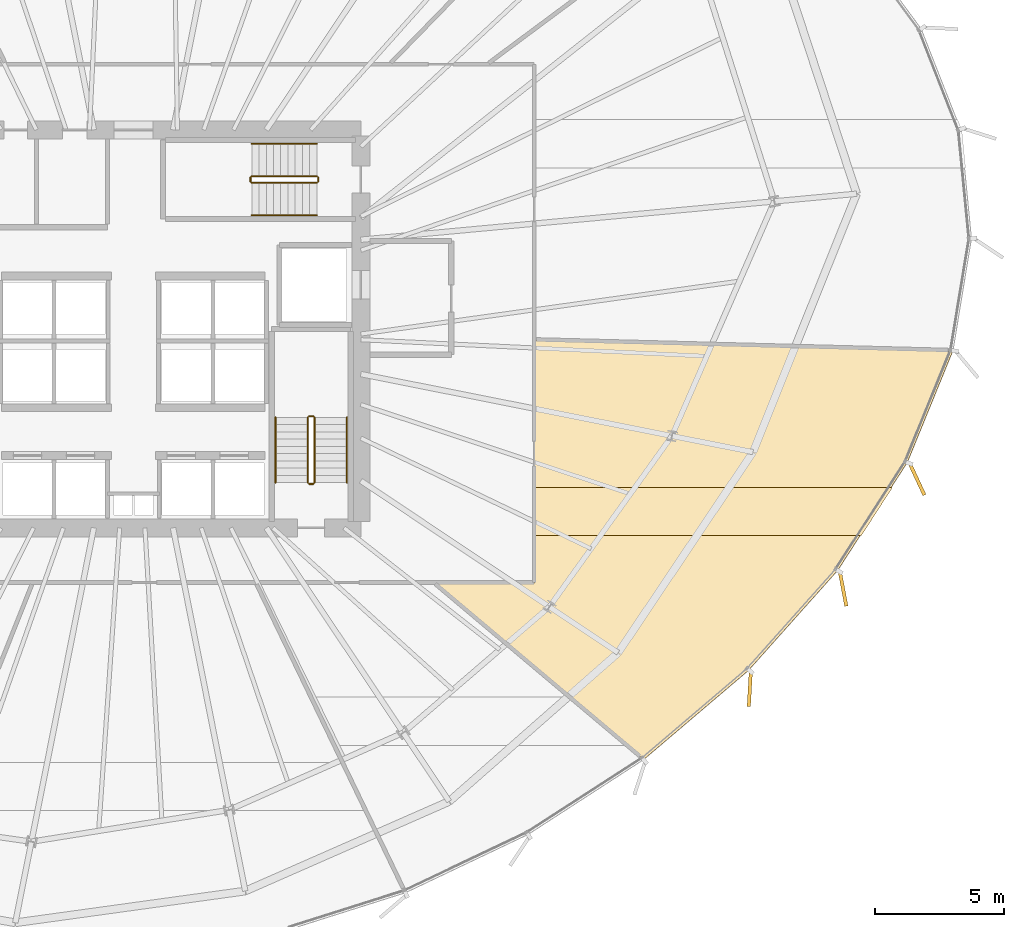
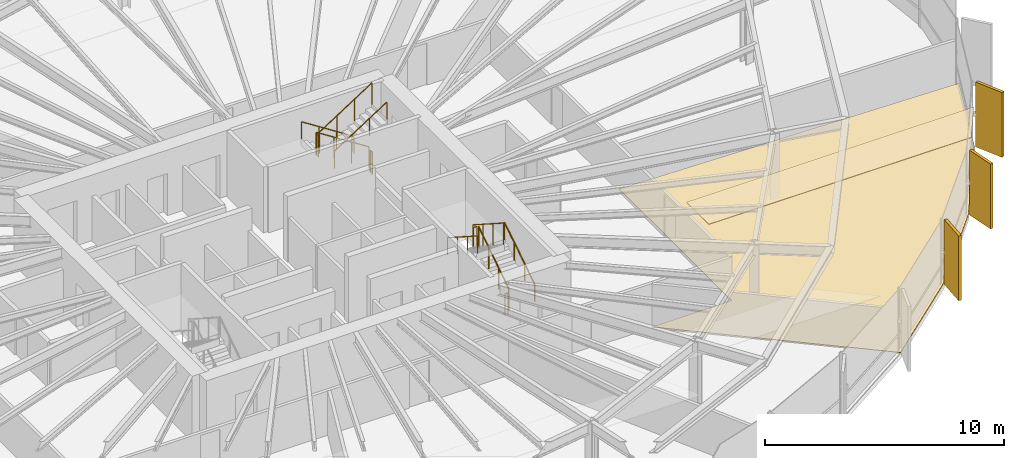
# One storey, part 34 of 35: 12 railings, 5 coverings.
"""IFC4 building model written with IfcOpenShell, lengths in metres."""

from ifc_helpers import new_model, si_unit, direction, frame, origin, origin_2d, place, context, subcontext, project, spatial, polyline, rectangle, circle, outline, extrude, source, transform, mapped, material, layer, layer_set, type_object, element, save


model = new_model("IFC4")

# Units and contexts
model_context = context("Model", 3, precision=1e-05, world=origin(), true_north=direction((0.0, 1.0)))
body_context = subcontext(model_context, "Body", "Model", "MODEL_VIEW")
ifc_project = project(units=[si_unit("LENGTHUNIT", "METRE"), si_unit("AREAUNIT", "SQUARE_METRE"), si_unit("VOLUMEUNIT", "CUBIC_METRE"), si_unit("PLANEANGLEUNIT", "RADIAN"), si_unit("MASSUNIT", "GRAM", prefix="KILO"), si_unit("THERMODYNAMICTEMPERATUREUNIT", "KELVIN")], contexts=[model_context])

# Site, building, storey
site_placement = place(None, origin())
site = spatial("IfcSite", under=ifc_project, at=site_placement, CompositionType="ELEMENT")
building_placement = place(site_placement, origin())
building = spatial("IfcBuilding", under=site, at=building_placement, Name="Kethvar Cultural Tower", CompositionType="ELEMENT")
storey_placement = place(building_placement, frame((0.0, 0.0, 89.199951171875)))
storey = spatial("IfcBuildingStorey", under=building, at=storey_placement, Name="L21", CompositionType="ELEMENT", Elevation=89.199951171875)

# Coverings
ifc_material_1 = material(Name="Acoustic Mineral Fibre Ceiling")
ifc_layer_1 = layer(ifc_material_1, 0.0400390625, Name="Acoustic Mineral Fibre Ceiling")
ifc_layer_set_1 = layer_set([ifc_layer_1], Name="Acoustic Mineral Fibre Ceiling (40 mm)")
covering_type_1 = type_object("IfcCoveringType", Name="CV-ACOUSTIC-CEIL", PredefinedType="CEILING", material=ifc_layer_set_1)
covering_1_placement = place(storey_placement, frame((0.0, 0.0, 2.780029296875)))
element("IfcCovering", 1, at=covering_1_placement, inside=storey, type_object=covering_type_1, Name="L21 Room 04 Acoustic Ceiling Panel", PredefinedType="CEILING", context=body_context, shape_type="SweptSolid", body=[
    extrude(outline(polyline([(74.969970703125, 19.798583984375), (62.2900390625, 19.798583984375), (62.2900390625, 21.668701171875), (76.17626953125, 21.668701171875), (74.969970703125, 19.798583984375)])), origin(), (0.0, 0.0, 1.0), 0.0400390625),
])
ifc_material_2 = material(Name="Architectural Oak Timber", Category="wood")
ifc_layer_2 = layer(ifc_material_2, 0.02490234375, Name="Architectural Oak Timber", Category="wood")
ifc_layer_set_2 = layer_set([ifc_layer_2], Name="Architectural Oak Timber (25 mm)")
covering_type_2 = type_object("IfcCoveringType", Name="CV-OAK-FLOOR", PredefinedType="FLOORING", material=ifc_layer_set_2)
covering_2_placement = place(storey_placement, origin())
element("IfcCovering", 2, at=covering_2_placement, inside=storey, type_object=covering_type_2, Name="L21 Room 04 Floor Finish", PredefinedType="FLOORING", context=body_context, shape_type="SweptSolid", body=[
    extrude(outline(polyline([(76.749755859375, 22.631591796875), (74.054931640625, 18.453857421875), (70.59326171875, 14.574462890625), (66.552978515625, 11.13916015625), (58.47900390625, 17.9599609375), (62.32861328125, 17.972412109375), (62.330078125, 27.366943359375), (78.506591796875, 26.936767578125), (76.749755859375, 22.631591796875)])), origin(), (0.0, 0.0, 1.0), 0.025146484375),
])

# Railings
ifc_material_3 = material(Name="Steel S355J2", Category="steel")
railing_type_1 = type_object("IfcRailingType", Name="RL-STAIR-GUARD", PredefinedType="BALUSTRADE", material=ifc_material_3)
railing_1_placement = place(storey_placement, frame((53.81005859375, 21.85009765625, 0.179931640625)))
element("IfcRailing", 3, at=railing_1_placement, inside=storey, type_object=railing_type_1, Name="L21 ST-02 stair guard 1", PredefinedType="BALUSTRADE", context=body_context, shape_type="SweptSolid", body=[
    extrude(circle(Radius=0.02392578125, at=origin_2d()), frame((0.0, 0.0, 1.09619140625), z_axis=(0.0, 0.841162588446, 0.540782303519), x_axis=(-1.0, 0.0, 0.0)), (0.0, 0.0, 1.0), 2.995849609375),
    extrude(circle(Radius=0.02099609375, at=origin_2d()), origin(), (0.0, 0.0, 1.0), 1.072021484375),
    extrude(circle(Radius=0.02099609375, at=origin_2d()), frame((0.0, 0.840087890625, 0.5400390625)), (0.0, 0.0, 1.0), 1.072021484375),
    extrude(circle(Radius=0.02099609375, at=origin_2d()), frame((0.0, 1.679931640625, 1.080078125)), (0.0, 0.0, 1.0), 1.072021484375),
    extrude(circle(Radius=0.02099609375, at=origin_2d()), frame((0.0, 2.52001953125, 1.6201171875)), (0.0, 0.0, 1.0), 1.072021484375),
])
railing_2_placement = place(storey_placement, frame((53.760009765625, 24.419921875, 1.800048828125)))
element("IfcRailing", 4, at=railing_2_placement, inside=storey, type_object=railing_type_1, Name="L21 ST-02 stair guard 2", PredefinedType="BALUSTRADE", context=body_context, shape_type="SweptSolid", body=[
    extrude(circle(Radius=0.02392578125, at=origin_2d()), frame((0.0, 0.0, 1.09619140625), z_axis=(-1.0, 0.0, 0.0), x_axis=(0.0, -1.0, 0.0)), (0.0, 0.0, 1.0), 0.159912109375),
    extrude(circle(Radius=0.02099609375, at=origin_2d()), origin(), (0.0, 0.0, 1.0), 1.072021484375),
    extrude(circle(Radius=0.02099609375, at=origin_2d()), frame((-0.159912109375, 0.0, 0.0)), (0.0, 0.0, 1.0), 1.072021484375),
])
railing_3_placement = place(storey_placement, frame((53.550048828125, 24.3701171875, 1.97998046875)))
element("IfcRailing", 5, at=railing_3_placement, inside=storey, type_object=railing_type_1, Name="L21 ST-02 stair guard 3", PredefinedType="BALUSTRADE", context=body_context, shape_type="SweptSolid", body=[
    extrude(circle(Radius=0.02392578125, at=origin_2d()), frame((0.0, 0.0, 1.09619140625), z_axis=(0.0, -0.841162588446, 0.540782303519), x_axis=(1.0, 0.0, 0.0)), (0.0, 0.0, 1.0), 2.995849609375),
    extrude(circle(Radius=0.02099609375, at=origin_2d()), origin(), (0.0, 0.0, 1.0), 1.072021484375),
    extrude(circle(Radius=0.02099609375, at=origin_2d()), frame((0.0, -0.840087890625, 0.5400390625)), (0.0, 0.0, 1.0), 1.072021484375),
    extrude(circle(Radius=0.02099609375, at=origin_2d()), frame((0.0, -1.679931640625, 1.080078125)), (0.0, 0.0, 1.0), 1.072021484375),
    extrude(circle(Radius=0.02099609375, at=origin_2d()), frame((0.0, -2.52001953125, 1.6201171875)), (0.0, 0.0, 1.0), 1.072021484375),
])
railing_4_placement = place(storey_placement, frame((53.760009765625, 21.800048828125, 0.0)))
element("IfcRailing", 6, at=railing_4_placement, inside=storey, type_object=railing_type_1, Name="L21 ST-02 stair guard 4", PredefinedType="BALUSTRADE", context=body_context, shape_type="SweptSolid", body=[
    extrude(circle(Radius=0.02392578125, at=origin_2d()), frame((0.0, 0.0, 1.09619140625), z_axis=(-1.0, 0.0, 0.0), x_axis=(0.0, -1.0, 0.0)), (0.0, 0.0, 1.0), 0.159912109375),
    extrude(circle(Radius=0.02099609375, at=origin_2d()), origin(), (0.0, 0.0, 1.0), 1.072021484375),
    extrude(circle(Radius=0.02099609375, at=origin_2d()), frame((-0.159912109375, 0.0, 0.0)), (0.0, 0.0, 1.0), 1.072021484375),
])
railing_5_placement = place(storey_placement, frame((53.89990234375, 33.7099609375, 0.179931640625)))
element("IfcRailing", 7, at=railing_5_placement, inside=storey, type_object=railing_type_1, Name="L21 ST-03 stair guard 1", PredefinedType="BALUSTRADE", context=body_context, shape_type="SweptSolid", body=[
    extrude(circle(Radius=0.02392578125, at=origin_2d()), frame((0.0, 0.0, 1.09619140625), z_axis=(-0.841162588446, 0.0, 0.540782303519), x_axis=(0.0, -1.0, 0.0)), (0.0, 0.0, 1.0), 2.995849609375),
    extrude(circle(Radius=0.02099609375, at=origin_2d()), origin(), (0.0, 0.0, 1.0), 1.072021484375),
    extrude(circle(Radius=0.02099609375, at=origin_2d()), frame((-0.840087890625, 0.0, 0.5400390625)), (0.0, 0.0, 1.0), 1.072021484375),
    extrude(circle(Radius=0.02099609375, at=origin_2d()), frame((-1.679931640625, 0.0, 1.080078125)), (0.0, 0.0, 1.0), 1.072021484375),
    extrude(circle(Radius=0.02099609375, at=origin_2d()), frame((-2.52001953125, 0.0, 1.6201171875)), (0.0, 0.0, 1.0), 1.072021484375),
])
railing_6_placement = place(storey_placement, frame((51.330078125, 33.659912109375, 1.800048828125)))
element("IfcRailing", 8, at=railing_6_placement, inside=storey, type_object=railing_type_1, Name="L21 ST-03 stair guard 2", PredefinedType="BALUSTRADE", context=body_context, shape_type="SweptSolid", body=[
    extrude(circle(Radius=0.02392578125, at=origin_2d()), frame((0.0, 0.0, 1.09619140625), z_axis=(0.0, -1.0, 0.0), x_axis=(1.0, 0.0, 0.0)), (0.0, 0.0, 1.0), 0.159912109375),
    extrude(circle(Radius=0.02099609375, at=origin_2d()), origin(), (0.0, 0.0, 1.0), 1.072021484375),
    extrude(circle(Radius=0.02099609375, at=origin_2d()), frame((0.0, -0.159912109375, 0.0)), (0.0, 0.0, 1.0), 1.072021484375),
])
railing_7_placement = place(storey_placement, frame((51.3798828125, 33.449951171875, 1.97998046875)))
element("IfcRailing", 9, at=railing_7_placement, inside=storey, type_object=railing_type_1, Name="L21 ST-03 stair guard 3", PredefinedType="BALUSTRADE", context=body_context, shape_type="SweptSolid", body=[
    extrude(circle(Radius=0.02392578125, at=origin_2d()), frame((0.0, 0.0, 1.09619140625), z_axis=(0.841162588446, 0.0, 0.540782303519), x_axis=(0.0, 1.0, 0.0)), (0.0, 0.0, 1.0), 2.995849609375),
    extrude(circle(Radius=0.02099609375, at=origin_2d()), origin(), (0.0, 0.0, 1.0), 1.072021484375),
    extrude(circle(Radius=0.02099609375, at=origin_2d()), frame((0.840087890625, 0.0, 0.5400390625)), (0.0, 0.0, 1.0), 1.072021484375),
    extrude(circle(Radius=0.02099609375, at=origin_2d()), frame((1.679931640625, 0.0, 1.080078125)), (0.0, 0.0, 1.0), 1.072021484375),
    extrude(circle(Radius=0.02099609375, at=origin_2d()), frame((2.52001953125, 0.0, 1.6201171875)), (0.0, 0.0, 1.0), 1.072021484375),
])
railing_8_placement = place(storey_placement, frame((53.949951171875, 33.659912109375, 0.0)))
element("IfcRailing", 10, at=railing_8_placement, inside=storey, type_object=railing_type_1, Name="L21 ST-03 stair guard 4", PredefinedType="BALUSTRADE", context=body_context, shape_type="SweptSolid", body=[
    extrude(circle(Radius=0.02392578125, at=origin_2d()), frame((0.0, 0.0, 1.09619140625), z_axis=(0.0, -1.0, 0.0), x_axis=(1.0, 0.0, 0.0)), (0.0, 0.0, 1.0), 0.159912109375),
    extrude(circle(Radius=0.02099609375, at=origin_2d()), origin(), (0.0, 0.0, 1.0), 1.072021484375),
    extrude(circle(Radius=0.02099609375, at=origin_2d()), frame((0.0, -0.159912109375, 0.0)), (0.0, 0.0, 1.0), 1.072021484375),
])
railing_type_2 = type_object("IfcRailingType", Name="RL-STAIR-HANDRAIL", PredefinedType="HANDRAIL", material=ifc_material_3)
railing_9_placement = place(storey_placement, frame((55.06005859375, 21.85009765625, 0.179931640625)))
element("IfcRailing", 11, at=railing_9_placement, inside=storey, type_object=railing_type_2, Name="L21 ST-02 stair handrail 1", PredefinedType="HANDRAIL", context=body_context, shape_type="SweptSolid", body=[
    extrude(circle(Radius=0.02392578125, at=origin_2d()), frame((0.0, 0.0, 0.8759765625), z_axis=(0.0, 0.841162588446, 0.540782303519), x_axis=(-1.0, 0.0, 0.0)), (0.0, 0.0, 1.0), 2.995849609375),
    extrude(circle(Radius=0.02099609375, at=origin_2d()), origin(), (0.0, 0.0, 1.0), 0.851806640625),
    extrude(circle(Radius=0.02099609375, at=origin_2d()), frame((0.0, 0.840087890625, 0.5400390625)), (0.0, 0.0, 1.0), 0.851806640625),
    extrude(circle(Radius=0.02099609375, at=origin_2d()), frame((0.0, 1.679931640625, 1.080078125)), (0.0, 0.0, 1.0), 0.851806640625),
    extrude(circle(Radius=0.02099609375, at=origin_2d()), frame((0.0, 2.52001953125, 1.6201171875)), (0.0, 0.0, 1.0), 0.851806640625),
])
railing_10_placement = place(storey_placement, frame((52.300048828125, 24.3701171875, 1.97998046875)))
element("IfcRailing", 12, at=railing_10_placement, inside=storey, type_object=railing_type_2, Name="L21 ST-02 stair handrail 2", PredefinedType="HANDRAIL", context=body_context, shape_type="SweptSolid", body=[
    extrude(circle(Radius=0.02392578125, at=origin_2d()), frame((0.0, 0.0, 0.8759765625), z_axis=(0.0, -0.841162588446, 0.540782303519), x_axis=(1.0, 0.0, 0.0)), (0.0, 0.0, 1.0), 2.995849609375),
    extrude(circle(Radius=0.02099609375, at=origin_2d()), origin(), (0.0, 0.0, 1.0), 0.851806640625),
    extrude(circle(Radius=0.02099609375, at=origin_2d()), frame((0.0, -0.840087890625, 0.5400390625)), (0.0, 0.0, 1.0), 0.851806640625),
    extrude(circle(Radius=0.02099609375, at=origin_2d()), frame((0.0, -1.679931640625, 1.080078125)), (0.0, 0.0, 1.0), 0.851806640625),
    extrude(circle(Radius=0.02099609375, at=origin_2d()), frame((0.0, -2.52001953125, 1.6201171875)), (0.0, 0.0, 1.0), 0.851806640625),
])
railing_11_placement = place(storey_placement, frame((53.89990234375, 34.9599609375, 0.179931640625)))
element("IfcRailing", 13, at=railing_11_placement, inside=storey, type_object=railing_type_2, Name="L21 ST-03 stair handrail 1", PredefinedType="HANDRAIL", context=body_context, shape_type="SweptSolid", body=[
    extrude(circle(Radius=0.02392578125, at=origin_2d()), frame((0.0, 0.0, 0.8759765625), z_axis=(-0.841162588446, 0.0, 0.540782303519), x_axis=(0.0, -1.0, 0.0)), (0.0, 0.0, 1.0), 2.995849609375),
    extrude(circle(Radius=0.02099609375, at=origin_2d()), origin(), (0.0, 0.0, 1.0), 0.851806640625),
    extrude(circle(Radius=0.02099609375, at=origin_2d()), frame((-0.840087890625, 0.0, 0.5400390625)), (0.0, 0.0, 1.0), 0.851806640625),
    extrude(circle(Radius=0.02099609375, at=origin_2d()), frame((-1.679931640625, 0.0, 1.080078125)), (0.0, 0.0, 1.0), 0.851806640625),
    extrude(circle(Radius=0.02099609375, at=origin_2d()), frame((-2.52001953125, 0.0, 1.6201171875)), (0.0, 0.0, 1.0), 0.851806640625),
])
railing_12_placement = place(storey_placement, frame((51.3798828125, 32.199951171875, 1.97998046875)))
element("IfcRailing", 14, at=railing_12_placement, inside=storey, type_object=railing_type_2, Name="L21 ST-03 stair handrail 2", PredefinedType="HANDRAIL", context=body_context, shape_type="SweptSolid", body=[
    extrude(circle(Radius=0.02392578125, at=origin_2d()), frame((0.0, 0.0, 0.8759765625), z_axis=(0.841162588446, 0.0, 0.540782303519), x_axis=(0.0, 1.0, 0.0)), (0.0, 0.0, 1.0), 2.995849609375),
    extrude(circle(Radius=0.02099609375, at=origin_2d()), origin(), (0.0, 0.0, 1.0), 0.851806640625),
    extrude(circle(Radius=0.02099609375, at=origin_2d()), frame((0.840087890625, 0.0, 0.5400390625)), (0.0, 0.0, 1.0), 0.851806640625),
    extrude(circle(Radius=0.02099609375, at=origin_2d()), frame((1.679931640625, 0.0, 1.080078125)), (0.0, 0.0, 1.0), 0.851806640625),
    extrude(circle(Radius=0.02099609375, at=origin_2d()), frame((2.52001953125, 0.0, 1.6201171875)), (0.0, 0.0, 1.0), 0.851806640625),
])

# Coverings
ifc_material_4 = material(Name="Extruded Architectural Terracotta", Category="masonry")
ifc_layer_3 = layer(ifc_material_4, 0.135009765625, Name="Extruded Architectural Terracotta", Category="masonry")
ifc_layer_set_3 = layer_set([ifc_layer_3], Name="Extruded Architectural Terracotta (135 mm)")
covering_type_3 = type_object("IfcCoveringType", Name="Terracotta Facade Fin FIN-02", PredefinedType="CLADDING", material=ifc_layer_set_3)
shared_shape = source(origin(), body_context, "Body", "SweptSolid", [
    extrude(rectangle(XDim=1.35009765625, YDim=0.135009765625, at=origin_2d()), origin(), (0.0, 0.0, 1.0), 3.31005859375),
])
for number, where, z_axis, x_axis, name in (
    (15, (70.653564453125, 13.8623046875, 0.02001953125), (0.0, 0.0, 1.0), (-0.058260986945, -0.998301386055, 0.0), "L21 Vertical Terracotta Fin 6.1"),
    (16, (74.26318359375, 17.735107421875, 0.02001953125), (0.0, 0.0, 1.0), (0.18532360751, -0.982677546553, 0.0), "L21 Vertical Terracotta Fin 6.2"),
    (17, (77.126220703125, 21.97998046875, 0.02001953125), (0.0, 0.0, 1.0), (0.4213524058, -0.90689698981, 0.0), "L21 Vertical Terracotta Fin 6.3"),
):
    element("IfcCovering", number, at=place(storey_placement, frame(where, z_axis=z_axis, x_axis=x_axis)), inside=storey, type_object=covering_type_3, Name=name, PredefinedType="CLADDING", context=body_context, shape_type="MappedRepresentation", body=[
        mapped(shared_shape, transform((0.0, 0.0, 0.0), scale=1.0)),
    ])

save(model, "model.ifc")
